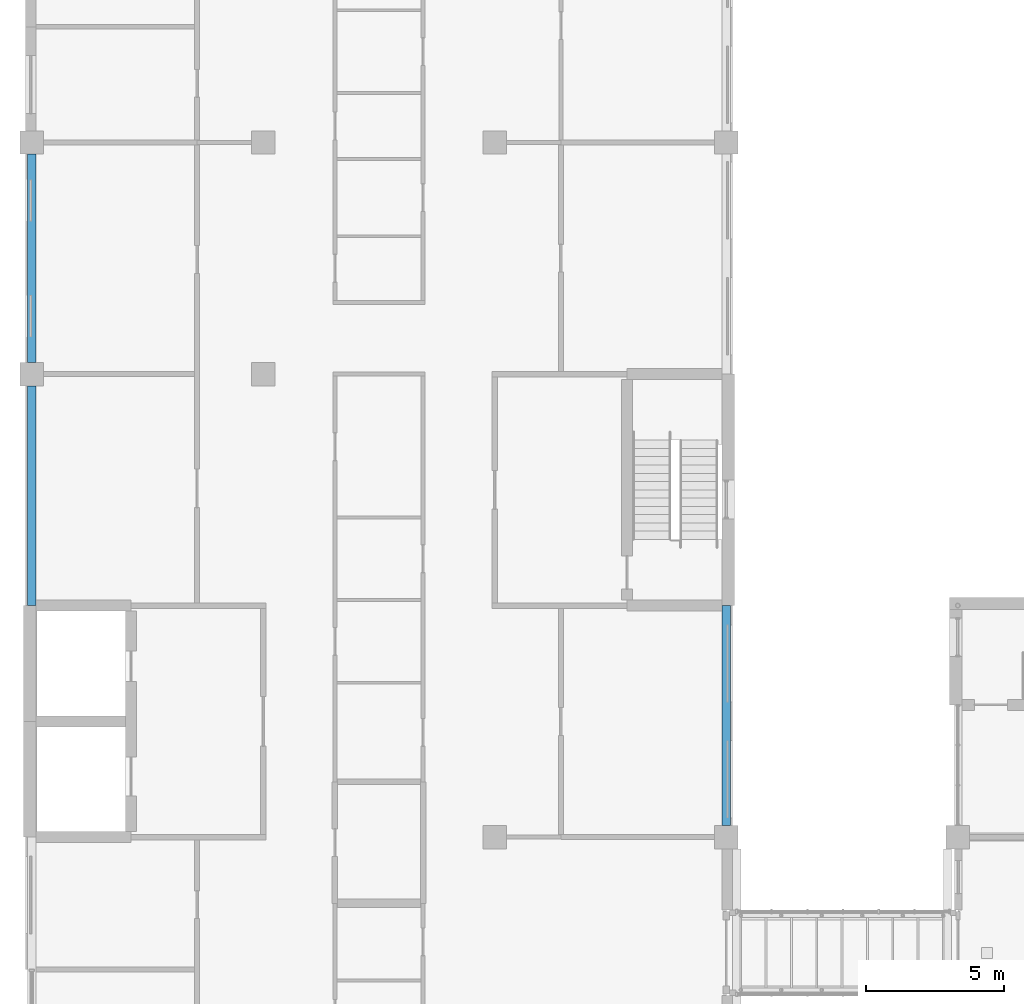
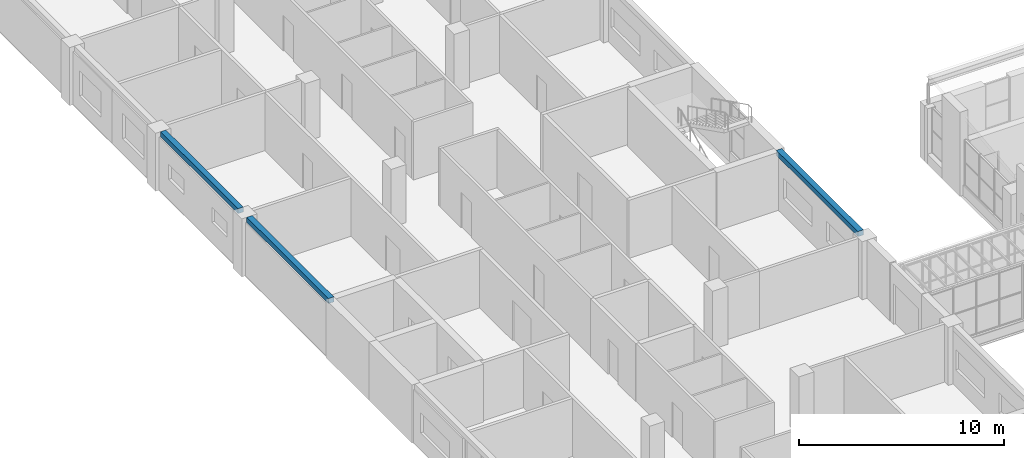
# One storey, part 28 of 94: 3 beams.
"""IFC4 building model written with IfcOpenShell, lengths in metres."""

from ifc_helpers import new_model, si_unit, direction, frame, origin, origin_2d, place, context, subcontext, project, spatial, rectangle, extrude, material, material_profile, profile_set, type_object, element, save


model = new_model("IFC4")

# Units and contexts
model_context = context("Model", 3, precision=1e-05, world=origin(), true_north=direction((0.0, 1.0)))
body_context = subcontext(model_context, "Body", "Model", "MODEL_VIEW")
ifc_project = project(units=[si_unit("LENGTHUNIT", "METRE"), si_unit("AREAUNIT", "SQUARE_METRE"), si_unit("VOLUMEUNIT", "CUBIC_METRE"), si_unit("PLANEANGLEUNIT", "RADIAN"), si_unit("MASSUNIT", "GRAM", prefix="KILO")], contexts=[model_context])

# Site, building, storey
site_placement = place(None, origin())
site = spatial("IfcSite", under=ifc_project, at=site_placement, CompositionType="ELEMENT")
building_placement = place(site_placement, origin())
building = spatial("IfcBuilding", under=site, at=building_placement, Name="Yavir Park General Hospital", CompositionType="ELEMENT")
storey_placement = place(building_placement, frame((0.0, 0.0, 4.5)))
storey = spatial("IfcBuildingStorey", under=building, at=storey_placement, Name="L01", CompositionType="ELEMENT", Elevation=4.5)

# Beams
ifc_material = material(Name="Concrete C35/45", Category="concrete")
ifc_material_profile = material_profile(ifc_material, rectangle(XDim=0.300048828125, YDim=0.300048828125, at=origin_2d()), Name="RC300x300")
ifc_profile_set = profile_set([ifc_material_profile], Name="Concrete C35/45")
beam_type = type_object("IfcBeamType", Name="RC BEAM 300x300 edge beam", PredefinedType="BEAM", material=ifc_profile_set)
beam_1_placement = place(storey_placement, frame((0.0, 75.60009765625, 3.300048828125), z_axis=(0.0, 1.0, 0.0), x_axis=(-1.0, 0.0, 0.0)))
element("IfcBeam", 1, at=beam_1_placement, inside=storey, type_object=beam_type, Name="B:EDGE:L01:037", PredefinedType="BEAM", context=body_context, shape_type="SweptSolid", body=[
    extrude(rectangle(XDim=0.300048828125, YDim=0.300048828125, at=origin_2d()), origin(), (0.0, 0.0, 1.0), 7.974853515625),
])
beam_2_placement = place(storey_placement, frame((0.0, 84.425048828125, 3.300048828125), z_axis=(0.0, 1.0, 0.0), x_axis=(-1.0, 0.0, 0.0)))
element("IfcBeam", 2, at=beam_2_placement, inside=storey, type_object=beam_type, Name="B:EDGE:L01:038", PredefinedType="BEAM", context=body_context, shape_type="SweptSolid", body=[
    extrude(rectangle(XDim=0.300048828125, YDim=0.300048828125, at=origin_2d()), origin(), (0.0, 0.0, 1.0), 7.550048828125),
])
beam_3_placement = place(storey_placement, frame((25.199951171875, 67.625, 3.300048828125), z_axis=(0.0, 1.0, 0.0), x_axis=(-1.0, 0.0, 0.0)))
element("IfcBeam", 3, at=beam_3_placement, inside=storey, type_object=beam_type, Name="B:EDGE:L01:044", PredefinedType="BEAM", context=body_context, shape_type="SweptSolid", body=[
    extrude(rectangle(XDim=0.300048828125, YDim=0.300048828125, at=origin_2d()), origin(), (0.0, 0.0, 1.0), 7.97509765625),
])

save(model, "model.ifc")
